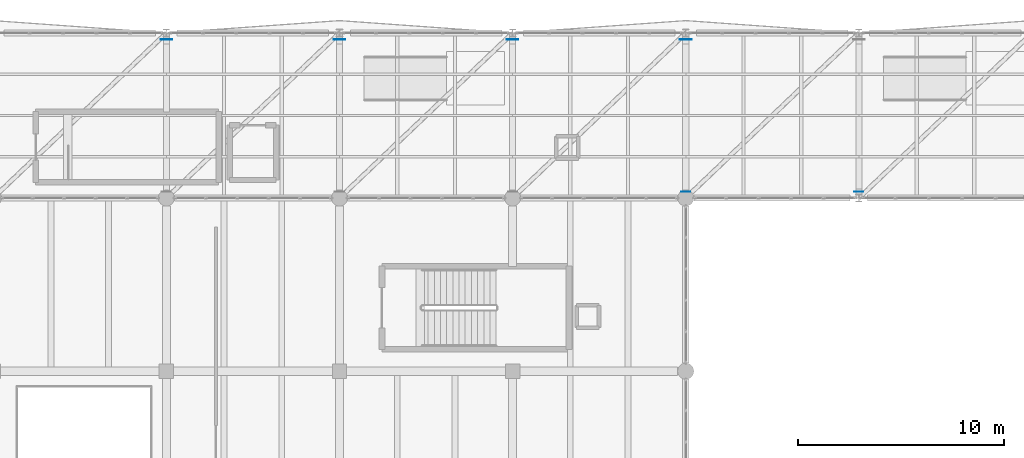
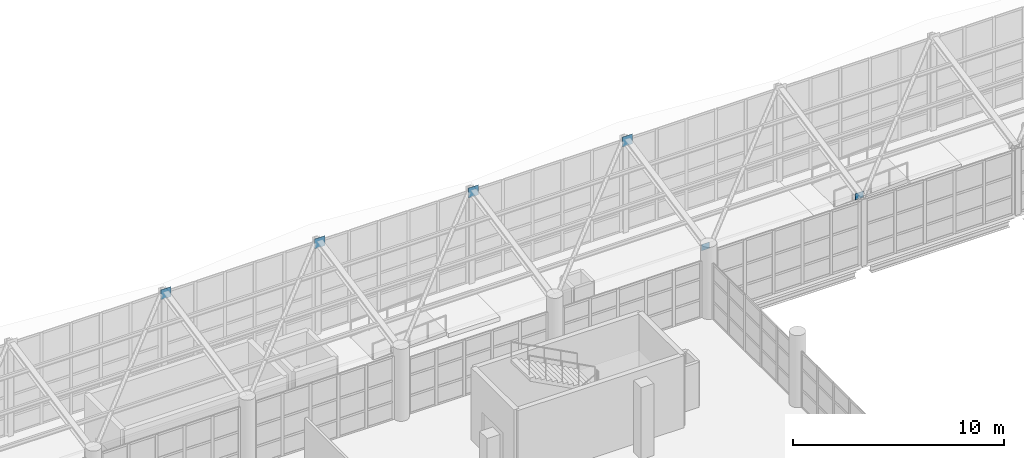
# One storey, part 144 of 177: 6 plates.
"""IFC4 building model written with IfcOpenShell, lengths in metres."""

from ifc_helpers import new_model, si_unit, direction, frame, origin, origin_2d, place, context, subcontext, project, spatial, rectangle, extrude, material, layer, layer_set, type_object, element, save


model = new_model("IFC4")

# Units and contexts
model_context = context("Model", 3, precision=1e-05, world=origin(), true_north=direction((0.0, 1.0)))
body_context = subcontext(model_context, "Body", "Model", "MODEL_VIEW")
ifc_project = project(units=[si_unit("LENGTHUNIT", "METRE"), si_unit("AREAUNIT", "SQUARE_METRE"), si_unit("VOLUMEUNIT", "CUBIC_METRE"), si_unit("PLANEANGLEUNIT", "RADIAN"), si_unit("MASSUNIT", "GRAM", prefix="KILO"), si_unit("THERMODYNAMICTEMPERATUREUNIT", "KELVIN"), si_unit("POWERUNIT", "WATT")], contexts=[model_context])

# Site, building, storey
site_placement = place(None, origin())
site = spatial("IfcSite", under=ifc_project, at=site_placement, CompositionType="ELEMENT")
building_placement = place(site_placement, origin())
building = spatial("IfcBuilding", under=site, at=building_placement, Name="Mavoryth Pier Ferry Terminal", CompositionType="ELEMENT")
storey_placement = place(building_placement, frame((0.0, 0.0, 5.43994140625)))
storey = spatial("IfcBuildingStorey", under=building, at=storey_placement, Name="L01", CompositionType="ELEMENT", Elevation=5.43994140625)

# Plates
ifc_material = material(Name="Steel S355J2", Category="steel")
ifc_layer_1 = layer(ifc_material, 0.02392578125, Name="Steel S355J2", Category="steel")
ifc_layer_set_1 = layer_set([ifc_layer_1], Name="Steel S355J2 - Plate-BaseSeat-560x560x24")
plate_type_1 = type_object("IfcPlateType", Name="Plate-BaseSeat-560x560x24", PredefinedType="SHEET", material=ifc_layer_set_1)
for number, where, z_axis, x_axis, name in (
    (1, (67.199951171875, 113.699951171875, 5.118896484375), (0.0, 0.0, 1.0), (1.0, 0.0, 0.0), "Steel Node Plate PL-L01-0052"),
    (2, (75.60009765625, 113.699951171875, 5.118896484375), (0.0, 0.0, 1.0), (1.0, 0.0, 0.0), "Steel Node Plate PL-L01-0054"),
    (3, (84.0, 113.699951171875, 5.118896484375), (0.0, 0.0, 1.0), (1.0, 0.0, 0.0), "Steel Node Plate PL-L01-0056"),
    (4, (92.39990234375, 113.699951171875, 5.118896484375), (0.0, 0.0, 1.0), (1.0, 0.0, 0.0), "Steel Node Plate PL-L01-0058"),
):
    element("IfcPlate", number, at=place(storey_placement, frame(where, z_axis=z_axis, x_axis=x_axis)), inside=storey, type_object=plate_type_1, Name=name, PredefinedType="SHEET", context=body_context, shape_type="SweptSolid", body=[
        extrude(rectangle(XDim=0.56005859375, YDim=0.02392578125, at=origin_2d()), origin(), (0.0, 0.0, 1.0), 0.56005859375),
    ])
ifc_layer_2 = layer(ifc_material, 0.01611328125, Name="Steel S355J2", Category="steel")
ifc_layer_set_2 = layer_set([ifc_layer_2], Name="Steel S355J2 - Plate-Gusset-440x360x16")
plate_type_2 = type_object("IfcPlateType", Name="Plate-Gusset-440x360x16", PredefinedType="SHEET", material=ifc_layer_set_2)
for number, where, z_axis, x_axis, name in (
    (5, (92.39990234375, 106.300048828125, 3.59130859375), (0.0, 0.0, 1.0), (1.0, 0.0, 0.0), "Steel Node Plate PL-L01-0057"),
    (6, (100.800048828125, 106.300048828125, 3.59130859375), (0.0, 0.0, 1.0), (1.0, 0.0, 0.0), "Steel Node Plate PL-L01-0059"),
):
    element("IfcPlate", number, at=place(storey_placement, frame(where, z_axis=z_axis, x_axis=x_axis)), inside=storey, type_object=plate_type_2, Name=name, PredefinedType="SHEET", context=body_context, shape_type="SweptSolid", body=[
        extrude(rectangle(XDim=0.43994140625, YDim=0.01611328125, at=origin_2d()), origin(), (0.0, 0.0, 1.0), 0.360107421875),
    ])

save(model, "model.ifc")
